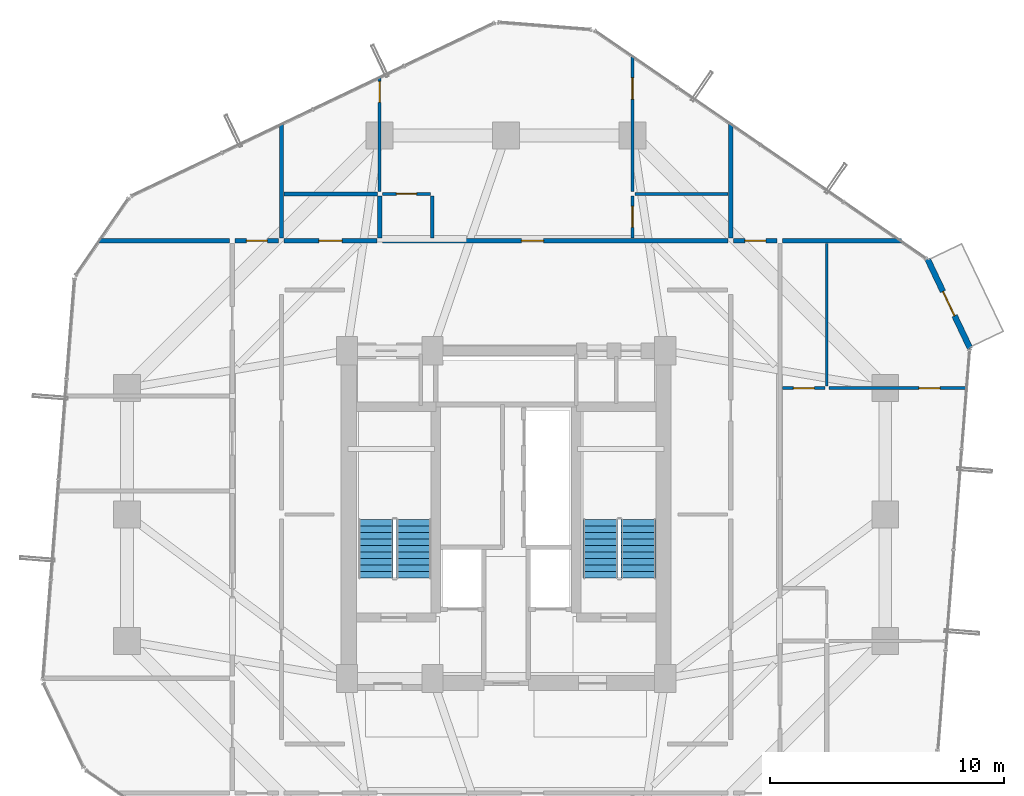
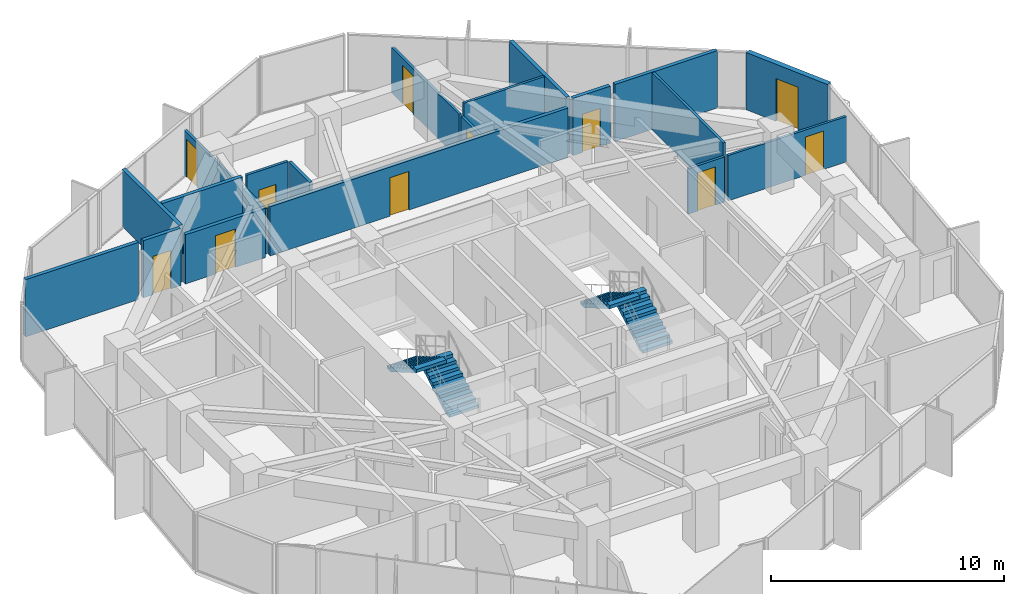
# One storey, part 28 of 30: 20 walls, 11 doors, 4 stair flights, 11 openings, 2 elements without a shape of their own.
"""IFC4 building model written with IfcOpenShell, lengths in metres."""

import ifcopenshell
import ifcopenshell.guid

model = None  # the IFC model being written
_history = None  # IfcOwnerHistory: only IFC2X3 demands one
_inside = {}  # id of a spatial element -> (the spatial element, [elements in it])
_under = {}  # id of a project, library or spatial element -> (it, [spatial elements below it])
_declared = {}  # id of a project -> (the project, [libraries it declares])
_typed = {}  # id of a type object -> (the type object, [elements of that type])
_made_of = {}  # id of a material, layer set ... -> (it, [elements and type objects made of it])


def new_model(schema):
    """Start an empty IFC model of exactly this schema.

    Asked for "IFC4X3", IfcOpenShell would pick the latest addendum, in which some entities
    have other attributes; the version numbers below select the first issue.
    IFC2X3 requires an IfcOwnerHistory on every rooted entity: one is made here for all.
    """
    global model, _history
    if schema == "IFC4X3":
        model = ifcopenshell.file(schema_version=(4, 3, 0, 0))
    else:
        model = ifcopenshell.file(schema=schema)
    _inside.clear()
    _under.clear()
    _declared.clear()
    _typed.clear()
    _made_of.clear()
    _history = None
    if model.schema == "IFC2X3":
        org = make("IfcOrganization", Name="unknown")
        user = make(
            "IfcPersonAndOrganization",
            ThePerson=make("IfcPerson", FamilyName="unknown"),
            TheOrganization=org,
        )
        app = make(
            "IfcApplication",
            ApplicationDeveloper=org,
            Version="unknown",
            ApplicationFullName="unknown",
            ApplicationIdentifier="unknown",
        )
        _history = make(
            "IfcOwnerHistory",
            OwningUser=user,
            OwningApplication=app,
            ChangeAction="ADDED",
            CreationDate=0,
        )
    return model


def make(cls, **values):
    """One entity of the class cls with the attributes given. An attribute that is None is left unset."""
    return model.create_entity(
        cls, **{name: value for name, value in values.items() if value is not None}
    )


def rooted(cls, **values):
    """An entity with a GlobalId (a new one), such as an element, a storey or a relation."""
    return make(cls, GlobalId=ifcopenshell.guid.new(), OwnerHistory=_history, **values)


def si_unit(unit_type, name, prefix=None):
    """IfcSIUnit, for example si_unit("LENGTHUNIT", "METRE", prefix="MILLI")."""
    return make("IfcSIUnit", UnitType=unit_type, Prefix=prefix, Name=name)


def assignment(units):
    """IfcUnitAssignment: the units of a project."""
    return None if units is None else make("IfcUnitAssignment", Units=units)


def point(xyz):
    """IfcCartesianPoint."""
    return None if xyz is None else make("IfcCartesianPoint", Coordinates=xyz)


def direction(xyz):
    """IfcDirection."""
    return None if xyz is None else make("IfcDirection", DirectionRatios=xyz)


def frame(location, z_axis=None, x_axis=None):
    """IfcAxis2Placement3D, a coordinate frame: its origin and axes. An axis left out is left unset."""
    return make(
        "IfcAxis2Placement3D",
        Location=point(location),
        Axis=direction(z_axis),
        RefDirection=direction(x_axis),
    )


def frame_2d(location, x_axis=None):
    """IfcAxis2Placement2D, a coordinate frame in the plane: its origin and x axis."""
    return make(
        "IfcAxis2Placement2D", Location=point(location), RefDirection=direction(x_axis)
    )


def origin():
    """The frame at (0, 0, 0) with its axes left unset."""
    return frame((0.0, 0.0, 0.0))


def place(relative_to, where):
    """IfcLocalPlacement: puts the frame where relative to a parent placement (None: the world)."""
    return make(
        "IfcLocalPlacement", PlacementRelTo=relative_to, RelativePlacement=where
    )


def context(
    kind, dimensions, precision=None, world=None, true_north=None, identifier=None
):
    """IfcGeometricRepresentationContext, for example the 3D "Model" context."""
    return make(
        "IfcGeometricRepresentationContext",
        ContextIdentifier=identifier,
        ContextType=kind,
        CoordinateSpaceDimension=dimensions,
        Precision=precision,
        WorldCoordinateSystem=world,
        TrueNorth=true_north,
    )


def subcontext(parent, identifier, kind, view, scale=None):
    """IfcGeometricRepresentationSubContext, for example "Body" below "Model"."""
    return make(
        "IfcGeometricRepresentationSubContext",
        ContextIdentifier=identifier,
        ContextType=kind,
        ParentContext=parent,
        TargetScale=scale,
        TargetView=view,
    )


def project(units=None, contexts=None):
    """IfcProject with its units and contexts."""
    return rooted(
        "IfcProject",
        Name="project",
        RepresentationContexts=contexts,
        UnitsInContext=assignment(units),
    )


def spatial(cls, under=None, at=None, **own):
    """A site, building, storey or space (cls), placed at a placement, below another one or the project."""
    s = rooted(cls, ObjectPlacement=at, **own)
    if under is not None:
        _under.setdefault(under.id(), (under, []))[1].append(s)
    return s


def polyline(points):
    """IfcPolyline through the points."""
    return make("IfcPolyline", Points=[point(p) for p in points])


def profile(cls, at=None, kind="AREA", **sizes):
    """A parametric profile (cls). Its sizes go by their IFC names, for example OverallWidth=200.0."""
    return make(cls, ProfileType=kind, Position=at, **sizes)


def rectangle(**sizes):
    """IfcRectangleProfileDef."""
    return profile("IfcRectangleProfileDef", **sizes)


def outline(outer, holes=None, kind="AREA"):
    """IfcArbitraryClosedProfileDef: a profile drawn as a closed curve; with holes, ...WithVoids."""
    if holes is None:
        return make("IfcArbitraryClosedProfileDef", ProfileType=kind, OuterCurve=outer)
    return make(
        "IfcArbitraryProfileDefWithVoids",
        ProfileType=kind,
        OuterCurve=outer,
        InnerCurves=holes,
    )


def extrude(swept, where, along, depth):
    """IfcExtrudedAreaSolid: the profile swept, set in the frame where, extruded along a direction by depth."""
    return make(
        "IfcExtrudedAreaSolid",
        SweptArea=swept,
        Position=where,
        ExtrudedDirection=direction(along),
        Depth=depth,
    )


def shape(context_of_items, identifier, shape_type, items):
    """IfcShapeRepresentation: the items that make up one representation, for example the "Body"."""
    return make(
        "IfcShapeRepresentation",
        ContextOfItems=context_of_items,
        RepresentationIdentifier=identifier,
        RepresentationType=shape_type,
        Items=items,
    )


def source(mapping_origin, context_of_items, identifier, shape_type, items):
    """IfcRepresentationMap: a shape defined once, which mapped items show again and again."""
    return make(
        "IfcRepresentationMap",
        MappingOrigin=mapping_origin,
        MappedRepresentation=shape(context_of_items, identifier, shape_type, items),
    )


def transform(
    local_origin,
    x_axis=None,
    y_axis=None,
    z_axis=None,
    scale=None,
    scale2=None,
    scale3=None,
    uniform=True,
):
    """IfcCartesianTransformationOperator3D, or its non-uniform kind. x_axis, y_axis, z_axis: its Axis1, 2, 3."""
    if uniform:
        return make(
            "IfcCartesianTransformationOperator3D",
            Axis1=direction(x_axis),
            Axis2=direction(y_axis),
            LocalOrigin=point(local_origin),
            Scale=scale,
            Axis3=direction(z_axis),
        )
    return make(
        "IfcCartesianTransformationOperator3DnonUniform",
        Axis1=direction(x_axis),
        Axis2=direction(y_axis),
        LocalOrigin=point(local_origin),
        Scale=scale,
        Axis3=direction(z_axis),
        Scale2=scale2,
        Scale3=scale3,
    )


def mapped(mapping_source, mapping_target):
    """IfcMappedItem: shows the shape of a source again, moved by a transform."""
    return make(
        "IfcMappedItem", MappingSource=mapping_source, MappingTarget=mapping_target
    )


def material(Name=None, Category=None):
    """IfcMaterial."""
    return make("IfcMaterial", Name=Name, Category=Category)


def layer(
    of_material, thickness, ventilated=None, Name=None, Category=None, Priority=None
):
    """IfcMaterialLayer: one layer of a wall or slab, of a material (None: an air gap)."""
    return make(
        "IfcMaterialLayer",
        Material=of_material,
        LayerThickness=thickness,
        IsVentilated=ventilated,
        Name=Name,
        Category=Category,
        Priority=Priority,
    )


def layer_set(layers, Name=None):
    """IfcMaterialLayerSet."""
    return make("IfcMaterialLayerSet", MaterialLayers=layers, LayerSetName=Name)


def made_of(thing, what):
    """Note that an element or type object is made of a material, layer set ...; save() writes the relation."""
    if what is not None:
        _made_of.setdefault(what.id(), (what, []))[1].append(thing)
    return thing


def type_object(cls, material=None, **own):
    """A type object (cls), such as IfcWallType, which elements share."""
    return made_of(rooted(cls, **own), material)


def element(
    cls,
    number,
    at=None,
    inside=None,
    cuts=None,
    type_object=None,
    material=None,
    context=None,
    identifier="Body",
    shape_type=None,
    held_by="IfcProductDefinitionShape",
    body=None,
    shapes=None,
    **own,
):
    """One element of the class cls, such as IfcWall. Its Tag is "e" and its number.

    at: its placement. inside: the storey or other place that contains it. cuts: it is an
    opening in that element (IfcRelVoidsElement). A single representation is given by context,
    identifier, shape_type and body (its items); several are given by shapes. held_by: the class
    of the entity that holds the representations. save() writes the other relations.
    """
    e = rooted(cls, Tag="e%d" % number, ObjectPlacement=at, **own)
    if body is not None:
        shapes = [shape(context, identifier, shape_type, body)]
    if shapes is not None:
        e.Representation = make(held_by, Representations=shapes)
    if inside is not None:
        _inside.setdefault(inside.id(), (inside, []))[1].append(e)
    if cuts is not None:
        rooted(
            "IfcRelVoidsElement", RelatingBuildingElement=cuts, RelatedOpeningElement=e
        )
    if type_object is not None:
        _typed.setdefault(type_object.id(), (type_object, []))[1].append(e)
    return made_of(e, material)


def fill(opening, filler):
    """IfcRelFillsElement: the door or window that sits in an opening."""
    return rooted(
        "IfcRelFillsElement",
        RelatingOpeningElement=opening,
        RelatedBuildingElement=filler,
    )


def aggregate(whole, parts):
    """IfcRelAggregates: a whole, such as a stair, and the parts it consists of."""
    return rooted("IfcRelAggregates", RelatingObject=whole, RelatedObjects=parts)


def save(model, path):
    """Write the relations noted so far, then the file.

    IfcRelAggregates (storeys below a building ...), IfcRelContainedInSpatialStructure (elements
    in a storey), IfcRelDefinesByType, IfcRelAssociatesMaterial and IfcRelDeclares: one each for
    every whole, place, type object, material and project.
    """
    for whole, parts in _under.values():
        aggregate(whole, parts)
    for where, things in _inside.values():
        rooted(
            "IfcRelContainedInSpatialStructure",
            RelatedElements=things,
            RelatingStructure=where,
        )
    for kind, things in _typed.values():
        rooted("IfcRelDefinesByType", RelatedObjects=things, RelatingType=kind)
    for what, things in _made_of.values():
        rooted("IfcRelAssociatesMaterial", RelatedObjects=things, RelatingMaterial=what)
    for by, libraries in _declared.values():
        rooted("IfcRelDeclares", RelatingContext=by, RelatedDefinitions=libraries)
    model.write(path)


model = new_model("IFC4")

# Units and contexts
model_context = context("Model", 3, precision=1e-05, world=origin(), true_north=direction((0.0, 1.0)))
body_context = subcontext(model_context, "Body", "Model", "MODEL_VIEW")
ifc_project = project(units=[si_unit("LENGTHUNIT", "METRE"), si_unit("AREAUNIT", "SQUARE_METRE"), si_unit("VOLUMEUNIT", "CUBIC_METRE"), si_unit("PLANEANGLEUNIT", "RADIAN"), si_unit("MASSUNIT", "GRAM", prefix="KILO")], contexts=[model_context])

# Site, building, storey
site_placement = place(None, origin())
site = spatial("IfcSite", under=ifc_project, at=site_placement, CompositionType="ELEMENT")
building_placement = place(site_placement, origin())
building = spatial("IfcBuilding", under=site, at=building_placement, Name="Veraguas Prism Commons", CompositionType="ELEMENT")
storey_placement = place(building_placement, frame((0.0, 0.0, 113.25)))
storey = spatial("IfcBuildingStorey", under=building, at=storey_placement, Name="L31", CompositionType="ELEMENT", Elevation=113.25)

# Walls
ifc_material_1 = material(Name="Autoclaved aerated masonry block 10 MPa", Category="masonry")
ifc_layer_1 = layer(ifc_material_1, 0.179931640625, Name="Corridor and Inter-Tenancy Partition 180", Category="masonry")
ifc_layer_set_1 = layer_set([ifc_layer_1], Name="Autoclaved aerated masonry block 10 MPa")
wall_type_1 = type_object("IfcWallType", Name="Corridor and Inter-Tenancy Partition 180", PredefinedType="PARTITIONING", material=ifc_layer_set_1)
wall_1_placement = place(storey_placement, frame((14.39990234375, 35.820068359375, 0.0), z_axis=(0.0, 0.0, 1.0), x_axis=(0.0, 1.0, 0.0)))
element("IfcWall", 1, at=wall_1_placement, inside=storey, type_object=wall_type_1, Name="WL-L31-PT013", PredefinedType="PARTITIONING", context=body_context, shape_type="SweptSolid", body=[
    extrude(rectangle(XDim=4.887451171875, YDim=0.179931640625, at=frame_2d((2.44384765625, 0.0))), origin(), (0.0, 0.0, 1.0), 3.0),
])
wall_2_placement = place(storey_placement, frame((33.60009765625, 35.820068359375, 0.0), z_axis=(0.0, 0.0, 1.0), x_axis=(0.0, 1.0, 0.0)))
element("IfcWall", 2, at=wall_2_placement, inside=storey, type_object=wall_type_1, Name="WL-L31-PT014", PredefinedType="PARTITIONING", context=body_context, shape_type="SweptSolid", body=[
    extrude(rectangle(XDim=4.895263671875, YDim=0.179931640625, at=frame_2d((2.44775390625, 0.0))), origin(), (0.0, 0.0, 1.0), 3.0),
])

# Wall, opening, door
wall_3_placement = place(storey_placement, frame((14.510009765625, 35.699951171875, 0.0), z_axis=(0.0, 0.0, 1.0), x_axis=(1.0, 0.0, 0.0)))
wall_3 = element("IfcWall", 3, at=wall_3_placement, inside=storey, type_object=wall_type_1, Name="WL-L31-PT015", PredefinedType="PARTITIONING", context=body_context, shape_type="SweptSolid", body=[
    extrude(rectangle(XDim=3.97998046875, YDim=0.179931640625, at=frame_2d((1.989990234375, 0.0))), origin(), (0.0, 0.0, 1.0), 2.580078125),
])
opening_1_placement = place(wall_3_placement, frame((1.489990234375, 0.0, 0.0)))
opening_1 = element("IfcOpeningElement", 4, at=opening_1_placement, cuts=wall_3, Name="Opening DR-13", PredefinedType="OPENING", context=body_context, shape_type="SweptSolid", body=[
    extrude(rectangle(XDim=1.0, YDim=2.010009765625, at=frame_2d((0.5, 1.0048828125))), frame((0.0, 0.099853515625, 0.0), z_axis=(0.0, -1.0, 0.0), x_axis=(1.0, 0.0, 0.0)), (0.0, 0.0, 1.0), 0.199951171875),
])
ifc_material_2 = material(Name="Steel fire-rated door assembly", Category="steel")
door_type_1 = type_object("IfcDoorType", Name="Core Accessible WC and Clinic Fire Door 1000x2010", OperationType="NOTDEFINED", PredefinedType="DOOR", material=ifc_material_2)
shared_shape_1 = source(origin(), body_context, "Body", "SweptSolid", [
    extrude(rectangle(XDim=1.0, YDim=2.010009765625, at=frame_2d((0.5, 1.0048828125))), frame((0.0, 0.02490234375, 0.0), z_axis=(0.0, -1.0, 0.0), x_axis=(1.0, 0.0, 0.0)), (0.0, 0.0, 1.0), 0.050048828125),
])
door_1_placement = place(opening_1_placement, origin())
door_1 = element("IfcDoor", 5, at=door_1_placement, inside=storey, type_object=door_type_1, Name="Residents Study Alcove 31B Door", OperationType="SINGLE_SWING_RIGHT", OverallHeight=2.010009765625, OverallWidth=1.0, PredefinedType="DOOR", context=body_context, shape_type="MappedRepresentation", body=[
    mapped(shared_shape_1, transform((0.0, 0.0, 0.0), scale=1.0)),
])
fill(opening_1, door_1)

wall_4_placement = place(storey_placement, frame((18.7099609375, 35.699951171875, 0.0), z_axis=(0.0, 0.0, 1.0), x_axis=(1.0, 0.0, 0.0)))
wall_4 = element("IfcWall", 6, at=wall_4_placement, inside=storey, type_object=wall_type_1, Name="WL-L31-PT016", PredefinedType="PARTITIONING", context=body_context, shape_type="SweptSolid", body=[
    extrude(rectangle(XDim=14.780029296875, YDim=0.179931640625, at=frame_2d((7.39013671875, 0.0))), origin(), (0.0, 0.0, 1.0), 2.580078125),
])
opening_2_placement = place(wall_4_placement, frame((5.93994140625, 0.0, 0.0)))
opening_2 = element("IfcOpeningElement", 7, at=opening_2_placement, cuts=wall_4, Name="Opening DR-01", PredefinedType="OPENING", context=body_context, shape_type="SweptSolid", body=[
    extrude(rectangle(XDim=0.949951171875, YDim=2.02001953125, at=frame_2d((0.47509765625, 1.010009765625))), frame((0.0, 0.099853515625, 0.0), z_axis=(0.0, -1.0, 0.0), x_axis=(1.0, 0.0, 0.0)), (0.0, 0.0, 1.0), 0.199951171875),
])
ifc_material_3 = material(Name="Anodised aluminium EN AW-6063 T6", Category="aluminium")
door_type_2 = type_object("IfcDoorType", Name="Apartment Entrance Fire Door 950x2020", OperationType="NOTDEFINED", PredefinedType="DOOR", material=ifc_material_3)
shared_shape_2 = source(origin(), body_context, "Body", "SweptSolid", [
    extrude(rectangle(XDim=0.949951171875, YDim=2.02001953125, at=frame_2d((0.47509765625, 1.010009765625))), frame((0.0, 0.02490234375, 0.0), z_axis=(0.0, -1.0, 0.0), x_axis=(1.0, 0.0, 0.0)), (0.0, 0.0, 1.0), 0.050048828125),
])
door_2_placement = place(opening_2_placement, origin())
door_2 = element("IfcDoor", 8, at=door_2_placement, inside=storey, type_object=door_type_2, Name="Flat 31B Entrance Door", OperationType="SINGLE_SWING_LEFT", OverallHeight=2.02001953125, OverallWidth=0.949951171875, PredefinedType="DOOR", context=body_context, shape_type="MappedRepresentation", body=[
    mapped(shared_shape_2, transform((0.0, 0.0, 0.0), scale=1.0)),
])
fill(opening_2, door_2)

# Walls
wall_5_placement = place(storey_placement, frame((14.52001953125, 37.699951171875, 0.0), z_axis=(0.0, 0.0, 1.0), x_axis=(1.0, 0.0, 0.0)))
element("IfcWall", 9, at=wall_5_placement, inside=storey, type_object=wall_type_1, Name="WL-L31-PT017", PredefinedType="PARTITIONING", context=body_context, shape_type="SweptSolid", body=[
    extrude(rectangle(XDim=3.97998046875, YDim=0.179931640625, at=frame_2d((1.989990234375, 0.0))), origin(), (0.0, 0.0, 1.0), 3.0),
])
wall_6_placement = place(storey_placement, frame((18.60009765625, 35.820068359375, 0.0), z_axis=(0.0, 0.0, 1.0), x_axis=(0.0, 1.0, 0.0)))
element("IfcWall", 10, at=wall_6_placement, inside=storey, type_object=wall_type_1, Name="WL-L31-PT018", PredefinedType="PARTITIONING", context=body_context, shape_type="SweptSolid", body=[
    extrude(rectangle(XDim=1.800048828125, YDim=0.179931640625, at=frame_2d((0.89990234375, 0.0))), origin(), (0.0, 0.0, 1.0), 2.3779296875),
])
wall_7_placement = place(storey_placement, frame((12.179931640625, 35.699951171875, 0.0), z_axis=(0.0, 0.0, 1.0), x_axis=(-1.0, 0.0, 0.0)))
element("IfcWall", 11, at=wall_7_placement, inside=storey, type_object=wall_type_1, Name="WL-L31-PT026", PredefinedType="PARTITIONING", context=body_context, shape_type="SweptSolid", body=[
    extrude(rectangle(XDim=5.597412109375, YDim=0.179931640625, at=frame_2d((2.798828125, 0.0))), origin(), (0.0, 0.0, 1.0), 3.0),
])
wall_8_placement = place(storey_placement, frame((35.820068359375, 35.699951171875, 0.0), z_axis=(0.0, 0.0, 1.0), x_axis=(1.0, 0.0, 0.0)))
element("IfcWall", 12, at=wall_8_placement, inside=storey, type_object=wall_type_1, Name="WL-L31-PT035", PredefinedType="PARTITIONING", context=body_context, shape_type="SweptSolid", body=[
    extrude(rectangle(XDim=5.07177734375, YDim=0.179931640625, at=frame_2d((2.535888671875, 0.0))), origin(), (0.0, 0.0, 1.0), 3.0),
])

# Wall, opening, door
wall_9_placement = place(storey_placement, frame((12.419921875, 35.699951171875, 0.0), z_axis=(0.0, 0.0, 1.0), x_axis=(1.0, 0.0, 0.0)))
wall_9 = element("IfcWall", 13, at=wall_9_placement, inside=storey, type_object=wall_type_1, Name="WL-L31-PT048", PredefinedType="PARTITIONING", context=body_context, shape_type="SweptSolid", body=[
    extrude(rectangle(XDim=1.860107421875, YDim=0.179931640625, at=frame_2d((0.93017578125, 0.0))), origin(), (0.0, 0.0, 1.0), 3.0),
])
opening_3_placement = place(wall_9_placement, frame((0.47998046875, 0.0, 0.0)))
opening_3 = element("IfcOpeningElement", 14, at=opening_3_placement, cuts=wall_9, Name="Opening DR-14", PredefinedType="OPENING", context=body_context, shape_type="SweptSolid", body=[
    extrude(rectangle(XDim=0.89990234375, YDim=2.010009765625, at=frame_2d((0.449951171875, 1.0048828125))), frame((0.0, 0.099853515625, 0.0), z_axis=(0.0, -1.0, 0.0), x_axis=(1.0, 0.0, 0.0)), (0.0, 0.0, 1.0), 0.199951171875),
])
door_type_3 = type_object("IfcDoorType", Name="Core Service Room Fire Door 900x2010", OperationType="NOTDEFINED", PredefinedType="DOOR", material=ifc_material_2)
shared_shape_3 = source(origin(), body_context, "Body", "SweptSolid", [
    extrude(rectangle(XDim=0.89990234375, YDim=2.010009765625, at=frame_2d((0.449951171875, 1.0048828125))), frame((0.0, 0.02490234375, 0.0), z_axis=(0.0, -1.0, 0.0), x_axis=(1.0, 0.0, 0.0)), (0.0, 0.0, 1.0), 0.050048828125),
])
door_3_placement = place(opening_3_placement, origin())
door_3 = element("IfcDoor", 15, at=door_3_placement, inside=storey, type_object=door_type_3, Name="Corner Study NW Door", OperationType="SINGLE_SWING_RIGHT", OverallHeight=2.010009765625, OverallWidth=0.89990234375, PredefinedType="DOOR", context=body_context, shape_type="MappedRepresentation", body=[
    mapped(shared_shape_3, transform((0.0, 0.0, 0.0), scale=1.0)),
])
fill(opening_3, door_3)

wall_10_placement = place(storey_placement, frame((33.719970703125, 35.699951171875, 0.0), z_axis=(0.0, 0.0, 1.0), x_axis=(1.0, 0.0, 0.0)))
wall_10 = element("IfcWall", 16, at=wall_10_placement, inside=storey, type_object=wall_type_1, Name="WL-L31-PT049", PredefinedType="PARTITIONING", context=body_context, shape_type="SweptSolid", body=[
    extrude(rectangle(XDim=1.860107421875, YDim=0.179931640625, at=frame_2d((0.93017578125, 0.0))), origin(), (0.0, 0.0, 1.0), 3.0),
])
opening_4_placement = place(wall_10_placement, frame((0.47998046875, 0.0, 0.0)))
opening_4 = element("IfcOpeningElement", 17, at=opening_4_placement, cuts=wall_10, Name="Opening DR-14", PredefinedType="OPENING", context=body_context, shape_type="SweptSolid", body=[
    extrude(rectangle(XDim=0.89990234375, YDim=2.010009765625, at=frame_2d((0.449951171875, 1.0048828125))), frame((0.0, 0.099853515625, 0.0), z_axis=(0.0, -1.0, 0.0), x_axis=(1.0, 0.0, 0.0)), (0.0, 0.0, 1.0), 0.199951171875),
])
door_4_placement = place(opening_4_placement, origin())
door_4 = element("IfcDoor", 18, at=door_4_placement, inside=storey, type_object=door_type_3, Name="Shared Laundry Room NE Door", OperationType="SINGLE_SWING_LEFT", OverallHeight=2.010009765625, OverallWidth=0.89990234375, PredefinedType="DOOR", context=body_context, shape_type="MappedRepresentation", body=[
    mapped(shared_shape_3, transform((0.0, 0.0, 0.0), scale=1.0)),
])
fill(opening_4, door_4)

ifc_material_4 = material(Name="Precast concrete C40/50", Category="concrete")
ifc_layer_2 = layer(ifc_material_4, 0.25, Name="External Loggia and Portal Wall 250", Category="concrete")
ifc_layer_set_2 = layer_set([ifc_layer_2], Name="Precast concrete C40/50")
wall_type_2 = type_object("IfcWallType", Name="External Loggia and Portal Wall 250", PredefinedType="SOLIDWALL", material=ifc_layer_set_2)
wall_11_placement = place(storey_placement, frame((43.82373046875, 31.102294921875, 0.0), z_axis=(0.0, 0.0, 1.0), x_axis=(-0.430177579223, 0.902744288453, 0.0)))
wall_11 = element("IfcWall", 19, at=wall_11_placement, inside=storey, type_object=wall_type_2, Name="Corner Loggia Wall L31-C1", PredefinedType="SOLIDWALL", context=body_context, shape_type="SweptSolid", body=[
    extrude(rectangle(XDim=4.233154296875, YDim=0.25, at=frame_2d((2.11669921875, 0.0))), origin(), (0.0, 0.0, 1.0), 3.0),
])
opening_5_placement = place(wall_11_placement, frame((1.5419921875, 0.0, 0.0)))
opening_5 = element("IfcOpeningElement", 20, at=opening_5_placement, cuts=wall_11, Name="Opening DR-10", PredefinedType="OPENING", context=body_context, shape_type="SweptSolid", body=[
    extrude(rectangle(XDim=1.14990234375, YDim=2.25, at=frame_2d((0.574951171875, 1.125))), frame((0.0, 0.135009765625, 0.0), z_axis=(0.0, -1.0, 0.0), x_axis=(1.0, 0.0, 0.0)), (0.0, 0.0, 1.0), 0.27001953125),
])
door_type_4 = type_object("IfcDoorType", Name="Glazed Loggia and Terrace Door 1150x2250", OperationType="NOTDEFINED", PredefinedType="DOOR", material=ifc_material_3)
shared_shape_4 = source(origin(), body_context, "Body", "SweptSolid", [
    extrude(rectangle(XDim=1.14990234375, YDim=2.25, at=frame_2d((0.574951171875, 1.125))), frame((0.0, 0.02490234375, 0.0), z_axis=(0.0, -1.0, 0.0), x_axis=(1.0, 0.0, 0.0)), (0.0, 0.0, 1.0), 0.050048828125),
])
door_5_placement = place(opening_5_placement, frame((1.14990234375, 0.0, 0.0), z_axis=(0.0, 0.0, 1.0), x_axis=(-1.0, 0.0, 0.0)))
door_5 = element("IfcDoor", 21, at=door_5_placement, inside=storey, type_object=door_type_4, Name="Recessed Loggia Door L31-C1", OperationType="SINGLE_SWING_LEFT", OverallHeight=2.25, OverallWidth=1.14990234375, PredefinedType="DOOR", context=body_context, shape_type="MappedRepresentation", body=[
    mapped(shared_shape_4, transform((0.0, 0.0, 0.0), scale=1.0)),
])
fill(opening_5, door_5)

ifc_material_5 = material(Name="Lightweight acoustic gypsum board")
ifc_layer_3 = layer(ifc_material_5, 0.125, Name="Internal Apartment Room Partition 125")
ifc_layer_set_3 = layer_set([ifc_layer_3], Name="Lightweight acoustic gypsum board")
wall_type_3 = type_object("IfcWallType", Name="Internal Apartment Room Partition 125", PredefinedType="PARTITIONING", material=ifc_layer_set_3)
wall_12_placement = place(storey_placement, frame((18.60009765625, 37.800048828125, 0.0), z_axis=(0.0, 0.0, 1.0), x_axis=(0.0, 1.0, 0.0)))
wall_12 = element("IfcWall", 22, at=wall_12_placement, inside=storey, type_object=wall_type_3, Name="WL-L31-PT019", PredefinedType="PARTITIONING", context=body_context, shape_type="SweptSolid", body=[
    extrude(rectangle(XDim=4.908935546875, YDim=0.125, at=frame_2d((2.45458984375, 0.0))), origin(), (0.0, 0.0, 1.0), 2.3779296875),
])
opening_6_placement = place(wall_12_placement, frame((3.80908203125, 0.0, 0.0)))
opening_6 = element("IfcOpeningElement", 23, at=opening_6_placement, cuts=wall_12, Name="Opening DR-02", PredefinedType="OPENING", context=body_context, shape_type="SweptSolid", body=[
    extrude(rectangle(XDim=0.89990234375, YDim=2.010009765625, at=frame_2d((0.449951171875, 1.0048828125))), frame((0.0, 0.072509765625, 0.0), z_axis=(0.0, -1.0, 0.0), x_axis=(1.0, 0.0, 0.0)), (0.0, 0.0, 1.0), 0.14501953125),
])
ifc_material_6 = material(Name="Timber solid core hardwood", Category="wood")
door_type_5 = type_object("IfcDoorType", Name="Internal Habitable Room Door 900x2010", OperationType="NOTDEFINED", PredefinedType="DOOR", material=ifc_material_6)
door_6_placement = place(opening_6_placement, origin())
door_6 = element("IfcDoor", 24, at=door_6_placement, inside=storey, type_object=door_type_5, Name="Flat 31B Bedroom 2 Door", OperationType="SINGLE_SWING_RIGHT", OverallHeight=2.010009765625, OverallWidth=0.89990234375, PredefinedType="DOOR", context=body_context, shape_type="MappedRepresentation", body=[
    mapped(shared_shape_3, transform((0.0, 0.0, 0.0), scale=1.0)),
])
fill(opening_6, door_6)

wall_13_placement = place(storey_placement, frame((18.719970703125, 37.699951171875, 0.0), z_axis=(0.0, 0.0, 1.0), x_axis=(1.0, 0.0, 0.0)))
wall_13 = element("IfcWall", 25, at=wall_13_placement, inside=storey, type_object=wall_type_3, Name="WL-L31-PT021", PredefinedType="PARTITIONING", context=body_context, shape_type="SweptSolid", body=[
    extrude(rectangle(XDim=2.050048828125, YDim=0.125, at=frame_2d((1.02490234375, 0.0))), origin(), (0.0, 0.0, 1.0), 3.0),
])
opening_7_placement = place(wall_13_placement, frame((0.594970703125, 0.0, 0.0)))
opening_7 = element("IfcOpeningElement", 26, at=opening_7_placement, cuts=wall_13, Name="Opening DR-03", PredefinedType="OPENING", context=body_context, shape_type="SweptSolid", body=[
    extrude(rectangle(XDim=0.860107421875, YDim=2.010009765625, at=frame_2d((0.43017578125, 1.0048828125))), frame((0.0, 0.072509765625, 0.0), z_axis=(0.0, -1.0, 0.0), x_axis=(1.0, 0.0, 0.0)), (0.0, 0.0, 1.0), 0.14501953125),
])
ifc_material_7 = material(Name="Timber moisture-resistant leaf", Category="wood")
door_type_6 = type_object("IfcDoorType", Name="Internal Bathroom Door 860x2010", OperationType="NOTDEFINED", PredefinedType="DOOR", material=ifc_material_7)
shared_shape_5 = source(origin(), body_context, "Body", "SweptSolid", [
    extrude(rectangle(XDim=0.860107421875, YDim=2.010009765625, at=frame_2d((0.43017578125, 1.0048828125))), frame((0.0, 0.02490234375, 0.0), z_axis=(0.0, -1.0, 0.0), x_axis=(1.0, 0.0, 0.0)), (0.0, 0.0, 1.0), 0.050048828125),
])
door_7_placement = place(opening_7_placement, origin())
door_7 = element("IfcDoor", 27, at=door_7_placement, inside=storey, type_object=door_type_6, Name="Flat 31B Bathroom Door", OperationType="SINGLE_SWING_LEFT", OverallHeight=2.010009765625, OverallWidth=0.860107421875, PredefinedType="DOOR", context=body_context, shape_type="MappedRepresentation", body=[
    mapped(shared_shape_5, transform((0.0, 0.0, 0.0), scale=1.0)),
])
fill(opening_7, door_7)

wall_14_placement = place(storey_placement, frame((29.39990234375, 35.820068359375, 0.0), z_axis=(0.0, 0.0, 1.0), x_axis=(0.0, 1.0, 0.0)))
wall_14 = element("IfcWall", 28, at=wall_14_placement, inside=storey, type_object=wall_type_3, Name="WL-L31-PT022", PredefinedType="PARTITIONING", context=body_context, shape_type="SweptSolid", body=[
    extrude(rectangle(XDim=1.800048828125, YDim=0.125, at=frame_2d((0.89990234375, 0.0))), origin(), (0.0, 0.0, 1.0), 2.3779296875),
])
opening_8_placement = place(wall_14_placement, frame((0.449951171875, 0.0, 0.0)))
opening_8 = element("IfcOpeningElement", 29, at=opening_8_placement, cuts=wall_14, Name="Opening DR-02", PredefinedType="OPENING", context=body_context, shape_type="SweptSolid", body=[
    extrude(rectangle(XDim=0.89990234375, YDim=2.010009765625, at=frame_2d((0.449951171875, 1.0048828125))), frame((0.0, 0.072509765625, 0.0), z_axis=(0.0, -1.0, 0.0), x_axis=(1.0, 0.0, 0.0)), (0.0, 0.0, 1.0), 0.14501953125),
])
door_8_placement = place(opening_8_placement, origin())
door_8 = element("IfcDoor", 30, at=door_8_placement, inside=storey, type_object=door_type_5, Name="Flat 31B Kitchen Door", OperationType="SINGLE_SWING_RIGHT", OverallHeight=2.010009765625, OverallWidth=0.89990234375, PredefinedType="DOOR", context=body_context, shape_type="MappedRepresentation", body=[
    mapped(shared_shape_3, transform((0.0, 0.0, 0.0), scale=1.0)),
])
fill(opening_8, door_8)

# Wall
wall_15_placement = place(storey_placement, frame((29.5, 37.699951171875, 0.0), z_axis=(0.0, 0.0, 1.0), x_axis=(1.0, 0.0, 0.0)))
element("IfcWall", 31, at=wall_15_placement, inside=storey, type_object=wall_type_3, Name="WL-L31-PT023", PredefinedType="PARTITIONING", context=body_context, shape_type="SweptSolid", body=[
    extrude(rectangle(XDim=3.97998046875, YDim=0.125, at=frame_2d((1.989990234375, 0.0))), origin(), (0.0, 0.0, 1.0), 3.0),
])

# Wall, opening, door
wall_16_placement = place(storey_placement, frame((29.39990234375, 37.800048828125, 0.0), z_axis=(0.0, 0.0, 1.0), x_axis=(0.0, 1.0, 0.0)))
wall_16 = element("IfcWall", 32, at=wall_16_placement, inside=storey, type_object=wall_type_3, Name="WL-L31-PT024", PredefinedType="PARTITIONING", context=body_context, shape_type="SweptSolid", body=[
    extrude(rectangle(XDim=5.803955078125, YDim=0.125, at=frame_2d((2.90185546875, 0.0))), origin(), (0.0, 0.0, 1.0), 2.3779296875),
])
opening_9_placement = place(wall_16_placement, frame((3.953369140625, 0.0, 0.0)))
opening_9 = element("IfcOpeningElement", 33, at=opening_9_placement, cuts=wall_16, Name="Opening DR-02", PredefinedType="OPENING", context=body_context, shape_type="SweptSolid", body=[
    extrude(rectangle(XDim=0.89990234375, YDim=2.010009765625, at=frame_2d((0.449951171875, 1.0048828125))), frame((0.0, 0.072509765625, 0.0), z_axis=(0.0, -1.0, 0.0), x_axis=(1.0, 0.0, 0.0)), (0.0, 0.0, 1.0), 0.14501953125),
])
door_9_placement = place(opening_9_placement, origin())
door_9 = element("IfcDoor", 34, at=door_9_placement, inside=storey, type_object=door_type_5, Name="Flat 31B Bedroom 1 Door", OperationType="SINGLE_SWING_LEFT", OverallHeight=2.010009765625, OverallWidth=0.89990234375, PredefinedType="DOOR", context=body_context, shape_type="MappedRepresentation", body=[
    mapped(shared_shape_3, transform((0.0, 0.0, 0.0), scale=1.0)),
])
fill(opening_9, door_9)

wall_17_placement = place(storey_placement, frame((35.820068359375, 29.39990234375, 0.0), z_axis=(0.0, 0.0, 1.0), x_axis=(1.0, 0.0, 0.0)))
wall_17 = element("IfcWall", 35, at=wall_17_placement, inside=storey, type_object=wall_type_3, Name="WL-L31-PT043", PredefinedType="PARTITIONING", context=body_context, shape_type="SweptSolid", body=[
    extrude(rectangle(XDim=1.800048828125, YDim=0.125, at=frame_2d((0.89990234375, 0.0))), origin(), (0.0, 0.0, 1.0), 2.3779296875),
])
opening_10_placement = place(wall_17_placement, frame((0.449951171875, 0.0, 0.0)))
opening_10 = element("IfcOpeningElement", 36, at=opening_10_placement, cuts=wall_17, Name="Opening DR-02", PredefinedType="OPENING", context=body_context, shape_type="SweptSolid", body=[
    extrude(rectangle(XDim=0.89990234375, YDim=2.010009765625, at=frame_2d((0.449951171875, 1.0048828125))), frame((0.0, 0.072509765625, 0.0), z_axis=(0.0, -1.0, 0.0), x_axis=(1.0, 0.0, 0.0)), (0.0, 0.0, 1.0), 0.14501953125),
])
door_10_placement = place(opening_10_placement, origin())
door_10 = element("IfcDoor", 37, at=door_10_placement, inside=storey, type_object=door_type_5, Name="Flat 31C Kitchen Door", OperationType="SINGLE_SWING_RIGHT", OverallHeight=2.010009765625, OverallWidth=0.89990234375, PredefinedType="DOOR", context=body_context, shape_type="MappedRepresentation", body=[
    mapped(shared_shape_3, transform((0.0, 0.0, 0.0), scale=1.0)),
])
fill(opening_10, door_10)

# Wall
wall_18_placement = place(storey_placement, frame((37.699951171875, 29.5, 0.0), z_axis=(0.0, 0.0, 1.0), x_axis=(0.0, 1.0, 0.0)))
element("IfcWall", 38, at=wall_18_placement, inside=storey, type_object=wall_type_3, Name="WL-L31-PT044", PredefinedType="PARTITIONING", context=body_context, shape_type="SweptSolid", body=[
    extrude(rectangle(XDim=6.080078125, YDim=0.125, at=frame_2d((3.0400390625, 0.0))), origin(), (0.0, 0.0, 1.0), 3.0),
])

# Wall, opening, door
wall_19_placement = place(storey_placement, frame((37.800048828125, 29.39990234375, 0.0), z_axis=(0.0, 0.0, 1.0), x_axis=(1.0, 0.0, 0.0)))
wall_19 = element("IfcWall", 39, at=wall_19_placement, inside=storey, type_object=wall_type_3, Name="WL-L31-PT045", PredefinedType="PARTITIONING", context=body_context, shape_type="SweptSolid", body=[
    extrude(rectangle(XDim=5.899169921875, YDim=0.125, at=frame_2d((2.94970703125, 0.0))), origin(), (0.0, 0.0, 1.0), 2.3779296875),
])
opening_11_placement = place(wall_19_placement, frame((3.841064453125, 0.0, 0.0)))
opening_11 = element("IfcOpeningElement", 40, at=opening_11_placement, cuts=wall_19, Name="Opening DR-02", PredefinedType="OPENING", context=body_context, shape_type="SweptSolid", body=[
    extrude(rectangle(XDim=0.89990234375, YDim=2.010009765625, at=frame_2d((0.449951171875, 1.0048828125))), frame((0.0, 0.072509765625, 0.0), z_axis=(0.0, -1.0, 0.0), x_axis=(1.0, 0.0, 0.0)), (0.0, 0.0, 1.0), 0.14501953125),
])
door_11_placement = place(opening_11_placement, origin())
door_11 = element("IfcDoor", 41, at=door_11_placement, inside=storey, type_object=door_type_5, Name="Flat 31C Bedroom 1 Door", OperationType="SINGLE_SWING_LEFT", OverallHeight=2.010009765625, OverallWidth=0.89990234375, PredefinedType="DOOR", context=body_context, shape_type="MappedRepresentation", body=[
    mapped(shared_shape_3, transform((0.0, 0.0, 0.0), scale=1.0)),
])
fill(opening_11, door_11)

# Wall
ifc_layer_4 = layer(ifc_material_5, 0.14990234375, Name="Wet Room and Clinic Acoustic Partition 150")
ifc_layer_set_4 = layer_set([ifc_layer_4], Name="Lightweight acoustic gypsum board")
wall_type_4 = type_object("IfcWallType", Name="Wet Room and Clinic Acoustic Partition 150", PredefinedType="PARTITIONING", material=ifc_layer_set_4)
wall_20_placement = place(storey_placement, frame((20.85009765625, 35.820068359375, 0.0), z_axis=(0.0, 0.0, 1.0), x_axis=(0.0, 1.0, 0.0)))
element("IfcWall", 42, at=wall_20_placement, inside=storey, type_object=wall_type_4, Name="WL-L31-PT020", PredefinedType="PARTITIONING", context=body_context, shape_type="SweptSolid", body=[
    extrude(rectangle(XDim=1.800048828125, YDim=0.14990234375, at=frame_2d((0.89990234375, 0.0))), origin(), (0.0, 0.0, 1.0), 3.0),
])

# Stair, stair flights
ifc_material_8 = material(Name="Precast concrete C45/55", Category="concrete")
stair_type = type_object("IfcStairType", Name="Dogleg Core Stair 1480W 20R 05", PredefinedType="HALF_TURN_STAIR", material=ifc_material_8)
stair_1_placement = place(storey_placement, origin())
stair_1 = element("IfcStair", 43, at=stair_1_placement, inside=storey, type_object=stair_type, Name="Protected Exit Stair ST-01 L31", PredefinedType="HALF_TURN_STAIR")
stair_flight_type = type_object("IfcStairFlightType", Name="Precast Stair Flight 1480W 10R 05", PredefinedType="STRAIGHT", material=ifc_material_8)
stair_flight_1_placement = place(storey_placement, frame((20.06005859375, 21.280029296875, 0.0), z_axis=(0.0, 0.0, 1.0), x_axis=(0.0, 1.0, 0.0)))
stair_flight_1 = element("IfcStairFlight", 44, at=stair_flight_1_placement, type_object=stair_flight_type, Name="ST-05 Flight 1", NumberOfRisers=10, NumberOfTreads=9, PredefinedType="STRAIGHT", RiserHeight=0.1625, TreadLength=0.28, context=body_context, shape_type="SweptSolid", body=[
    extrude(outline(polyline([(0.0, 0.0), (0.0, 0.16259765625), (0.280029296875, 0.16259765625), (0.280029296875, 0.324951171875), (0.56005859375, 0.324951171875), (0.56005859375, 0.487548828125), (0.840087890625, 0.487548828125), (0.840087890625, 0.64990234375), (1.1201171875, 0.64990234375), (1.1201171875, 0.8125), (1.39990234375, 0.8125), (1.39990234375, 0.97509765625), (1.679931640625, 0.97509765625), (1.679931640625, 1.137451171875), (1.9599609375, 1.137451171875), (1.9599609375, 1.300048828125), (2.239990234375, 1.300048828125), (2.239990234375, 1.46240234375), (2.52001953125, 1.46240234375), (2.52001953125, 1.625), (2.52001953125, 1.2890625), (0.298583984375, 0.0), (0.0, 0.0)])), frame((0.0, 0.739990234375, 0.0), z_axis=(0.0, -1.0, 0.0), x_axis=(1.0, 0.0, 0.0)), (0.0, 0.0, 1.0), 1.47998046875),
])
stair_flight_2_placement = place(storey_placement, frame((18.429931640625, 23.800048828125, 1.625), z_axis=(0.0, 0.0, 1.0), x_axis=(0.0, -1.0, 0.0)))
stair_flight_2 = element("IfcStairFlight", 45, at=stair_flight_2_placement, type_object=stair_flight_type, Name="ST-05 Flight 2", NumberOfRisers=10, NumberOfTreads=9, PredefinedType="STRAIGHT", RiserHeight=0.1625, TreadLength=0.28, context=body_context, shape_type="SweptSolid", body=[
    extrude(outline(polyline([(0.0, 0.0), (0.0, 0.16259765625), (0.280029296875, 0.16259765625), (0.280029296875, 0.324951171875), (0.56005859375, 0.324951171875), (0.56005859375, 0.487548828125), (0.840087890625, 0.487548828125), (0.840087890625, 0.64990234375), (1.1201171875, 0.64990234375), (1.1201171875, 0.8125), (1.39990234375, 0.8125), (1.39990234375, 0.97509765625), (1.679931640625, 0.97509765625), (1.679931640625, 1.137451171875), (1.9599609375, 1.137451171875), (1.9599609375, 1.300048828125), (2.239990234375, 1.300048828125), (2.239990234375, 1.46240234375), (2.52001953125, 1.46240234375), (2.52001953125, 1.625), (2.52001953125, 1.2890625), (0.298583984375, 0.0), (0.0, 0.0)])), frame((0.0, 0.739990234375, 0.0), z_axis=(0.0, -1.0, 0.0), x_axis=(1.0, 0.0, 0.0)), (0.0, 0.0, 1.0), 1.47998046875),
])
aggregate(stair_1, [stair_flight_1, stair_flight_2])

stair_2_placement = place(storey_placement, origin())
stair_2 = element("IfcStair", 46, at=stair_2_placement, inside=storey, type_object=stair_type, Name="Protected Exit Stair ST-02 L31", PredefinedType="HALF_TURN_STAIR")
stair_flight_3_placement = place(storey_placement, frame((29.659912109375, 21.280029296875, 0.0), z_axis=(0.0, 0.0, 1.0), x_axis=(0.0, 1.0, 0.0)))
stair_flight_3 = element("IfcStairFlight", 47, at=stair_flight_3_placement, type_object=stair_flight_type, Name="ST-05 Flight 1", NumberOfRisers=10, NumberOfTreads=9, PredefinedType="STRAIGHT", RiserHeight=0.1625, TreadLength=0.28, context=body_context, shape_type="SweptSolid", body=[
    extrude(outline(polyline([(0.0, 0.0), (0.0, 0.16259765625), (0.280029296875, 0.16259765625), (0.280029296875, 0.324951171875), (0.56005859375, 0.324951171875), (0.56005859375, 0.487548828125), (0.840087890625, 0.487548828125), (0.840087890625, 0.64990234375), (1.1201171875, 0.64990234375), (1.1201171875, 0.8125), (1.39990234375, 0.8125), (1.39990234375, 0.97509765625), (1.679931640625, 0.97509765625), (1.679931640625, 1.137451171875), (1.9599609375, 1.137451171875), (1.9599609375, 1.300048828125), (2.239990234375, 1.300048828125), (2.239990234375, 1.46240234375), (2.52001953125, 1.46240234375), (2.52001953125, 1.625), (2.52001953125, 1.2890625), (0.298583984375, 0.0), (0.0, 0.0)])), frame((0.0, 0.739990234375, 0.0), z_axis=(0.0, -1.0, 0.0), x_axis=(1.0, 0.0, 0.0)), (0.0, 0.0, 1.0), 1.47998046875),
])
stair_flight_4_placement = place(storey_placement, frame((28.030029296875, 23.800048828125, 1.625), z_axis=(0.0, 0.0, 1.0), x_axis=(0.0, -1.0, 0.0)))
stair_flight_4 = element("IfcStairFlight", 48, at=stair_flight_4_placement, type_object=stair_flight_type, Name="ST-05 Flight 2", NumberOfRisers=10, NumberOfTreads=9, PredefinedType="STRAIGHT", RiserHeight=0.1625, TreadLength=0.28, context=body_context, shape_type="SweptSolid", body=[
    extrude(outline(polyline([(0.0, 0.0), (0.0, 0.16259765625), (0.280029296875, 0.16259765625), (0.280029296875, 0.324951171875), (0.56005859375, 0.324951171875), (0.56005859375, 0.487548828125), (0.840087890625, 0.487548828125), (0.840087890625, 0.64990234375), (1.1201171875, 0.64990234375), (1.1201171875, 0.8125), (1.39990234375, 0.8125), (1.39990234375, 0.97509765625), (1.679931640625, 0.97509765625), (1.679931640625, 1.137451171875), (1.9599609375, 1.137451171875), (1.9599609375, 1.300048828125), (2.239990234375, 1.300048828125), (2.239990234375, 1.46240234375), (2.52001953125, 1.46240234375), (2.52001953125, 1.625), (2.52001953125, 1.2890625), (0.298583984375, 0.0), (0.0, 0.0)])), frame((0.0, 0.739990234375, 0.0), z_axis=(0.0, -1.0, 0.0), x_axis=(1.0, 0.0, 0.0)), (0.0, 0.0, 1.0), 1.47998046875),
])
aggregate(stair_2, [stair_flight_3, stair_flight_4])

save(model, "model.ifc")
